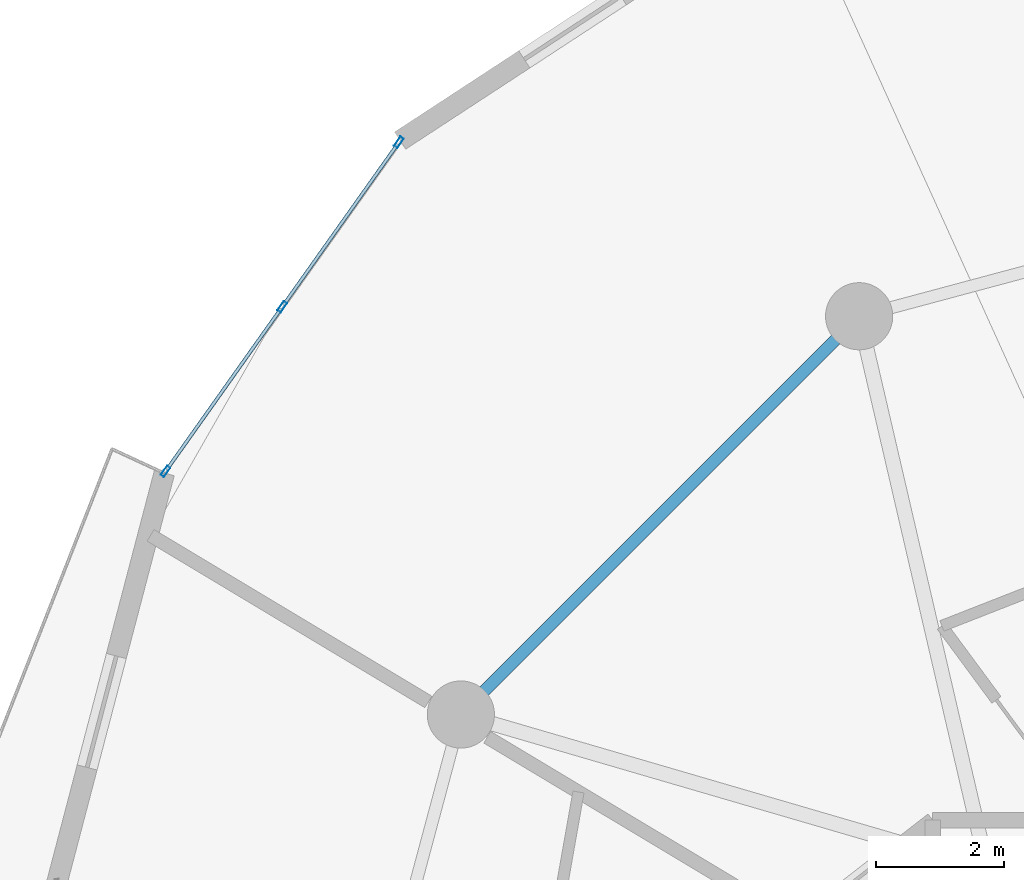
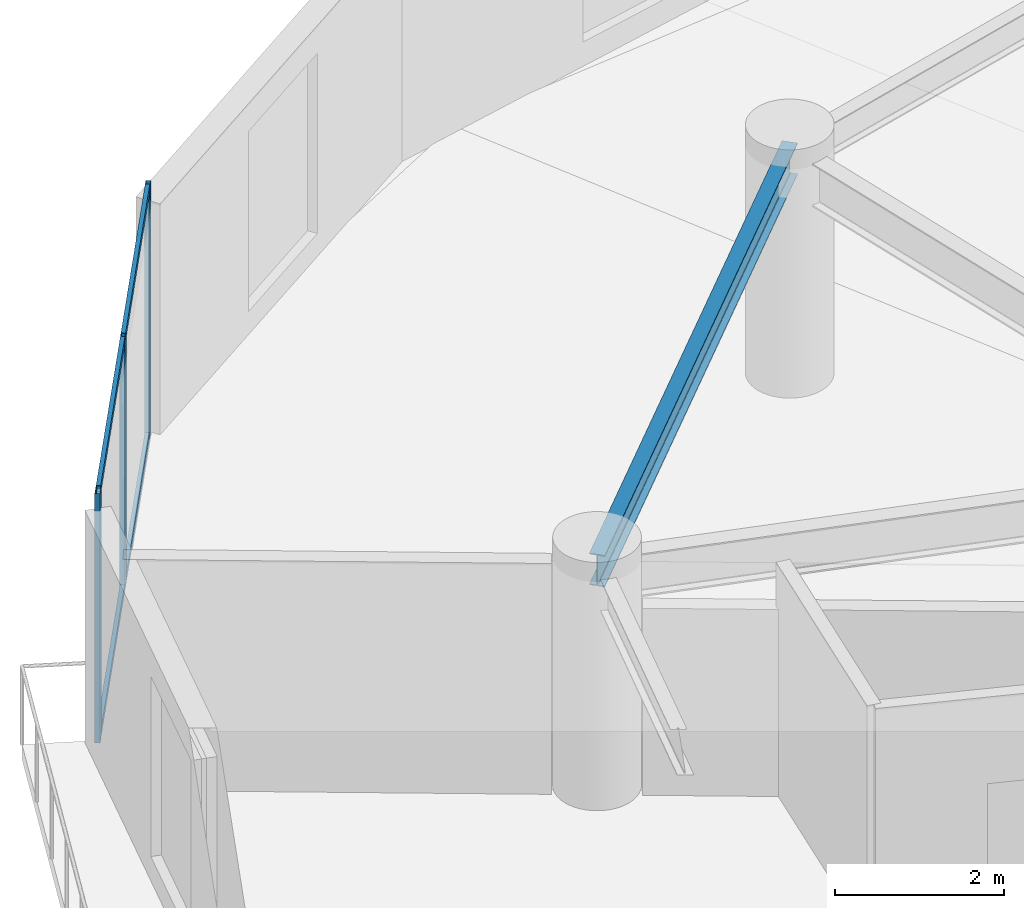
# One storey, part 13 of 22: 7 members, 1 beam, 1 element without a shape of its own.
"""IFC4 building model written with IfcOpenShell, lengths in metres."""

from ifc_helpers import new_model, si_unit, direction, frame, origin, origin_2d, place, context, subcontext, project, spatial, hollow_rectangle, i_section, extrude, source, transform, mapped, material, layer, layer_set, material_profile, profile_set, type_object, element, aggregate, save


model = new_model("IFC4")

# Units and contexts
model_context = context("Model", 3, precision=1e-05, world=origin(), true_north=direction((0.0, 1.0)))
body_context = subcontext(model_context, "Body", "Model", "MODEL_VIEW")
ifc_project = project(units=[si_unit("LENGTHUNIT", "METRE"), si_unit("AREAUNIT", "SQUARE_METRE"), si_unit("VOLUMEUNIT", "CUBIC_METRE"), si_unit("PLANEANGLEUNIT", "RADIAN"), si_unit("MASSUNIT", "GRAM", prefix="KILO")], contexts=[model_context])

# Site, building, storey
site_placement = place(None, origin())
site = spatial("IfcSite", under=ifc_project, at=site_placement, CompositionType="ELEMENT")
building_placement = place(site_placement, origin())
building = spatial("IfcBuilding", under=site, at=building_placement, Name="Solvirekh Grand Hotel", CompositionType="ELEMENT")
storey_placement = place(building_placement, frame((0.0, 0.0, 149.39990234375)))
storey = spatial("IfcBuildingStorey", under=building, at=storey_placement, Name="L38", CompositionType="ELEMENT", Elevation=149.39990234375)

# Beam
ifc_material_1 = material(Name="Steel S355", Category="steel")
ifc_material_profile_1 = material_profile(ifc_material_1, i_section(OverallWidth=0.18994140625, OverallDepth=0.45703125, WebThickness=0.009033203125, FlangeThickness=0.013916015625, FilletRadius=0.012939453125, at=origin_2d()), Name="W460X74")
ifc_profile_set_1 = profile_set([ifc_material_profile_1], Name="Steel S355")
beam_type = type_object("IfcBeamType", Name="Spandrel_Ring_W460", PredefinedType="SPANDREL", material=ifc_profile_set_1)
beam_placement = place(storey_placement, frame((-8.5, 14.721923828125, 3.1220703125), z_axis=(-0.707106781187, -0.707106781187, 0.0), x_axis=(0.707106781187, -0.707106781187, 0.0)))
element("IfcBeam", 1, at=beam_placement, inside=storey, type_object=beam_type, Name="L38 perimeter spandrel beam 5", PredefinedType="SPANDREL", context=body_context, shape_type="SweptSolid", body=[
    extrude(i_section(OverallWidth=0.18994140625, OverallDepth=0.45703125, WebThickness=0.009033203125, FlangeThickness=0.013916015625, FilletRadius=0.012939453125, at=origin_2d()), origin(), (0.0, 0.0, 1.0), 8.799072265625),
])

# Curtain wall, members
ifc_material_2 = material(Name="Anodized Bronze Aluminium 6063-T6", Category="aluminium")
ifc_layer = layer(ifc_material_2, 0.175048828125)
ifc_layer_set = layer_set([ifc_layer], Name="Anodized Bronze Aluminium 6063-T6")
curtain_wall_type = type_object("IfcCurtainWallType", Name="CW_Sys3_MidZoneFlushBronzeCW", PredefinedType="NOTDEFINED", material=ifc_layer_set)
curtain_wall_placement = place(storey_placement, origin())
curtain_wall = element("IfcCurtainWall", 2, at=curtain_wall_placement, inside=storey, type_object=curtain_wall_type, Name="L38 unitised bronze-glass curtain wall CW-L38-C11", PredefinedType="NOTDEFINED")
ifc_material_profile_2 = material_profile(ifc_material_2, hollow_rectangle(XDim=0.06494140625, YDim=0.175048828125, WallThickness=0.0048828125, at=origin_2d()), Name="ALU RHS 175X65X5")
ifc_profile_set_2 = profile_set([ifc_material_profile_2], Name="Anodized Bronze Aluminium 6063-T6")
member_type_1 = type_object("IfcMemberType", Name="CWMullion_Sys3", PredefinedType="MULLION", material=ifc_profile_set_2)
shared_shape_1 = source(origin(), body_context, "Body", "SweptSolid", [
    extrude(hollow_rectangle(XDim=0.06494140625, YDim=0.175048828125, WallThickness=0.0048828125, at=origin_2d()), origin(), (0.0, 0.0, 1.0), 3.60009765625),
])
member_1_placement = place(storey_placement, frame((-15.689697265625, 17.4404296875, 0.0), z_axis=(0.0, 0.0, 1.0), x_axis=(0.815712684679, -0.578457272453, 0.0)))
member_1 = element("IfcMember", 3, at=member_1_placement, type_object=member_type_1, Name="U03 mullion 1", PredefinedType="MULLION", context=body_context, shape_type="MappedRepresentation", body=[
    mapped(shared_shape_1, transform((0.0, 0.0, 0.0), x_axis=(1.0, 0.0, 0.0), y_axis=(0.0, 1.0, 0.0), z_axis=(0.0, 0.0, 1.0), scale=1.0)),
])
member_2_placement = place(storey_placement, frame((-17.512939453125, 14.869384765625, 0.0), z_axis=(0.0, 0.0, 1.0), x_axis=(0.815712684679, -0.578457272453, 0.0)))
member_2 = element("IfcMember", 4, at=member_2_placement, type_object=member_type_1, Name="U03 mullion 2", PredefinedType="MULLION", context=body_context, shape_type="MappedRepresentation", body=[
    mapped(shared_shape_1, transform((0.0, 0.0, 0.0), x_axis=(1.0, 0.0, 0.0), y_axis=(0.0, 1.0, 0.0), z_axis=(0.0, 0.0, 1.0), scale=1.0)),
])
member_3_placement = place(storey_placement, frame((-19.336181640625, 12.298583984375, 0.0), z_axis=(0.0, 0.0, 1.0), x_axis=(0.815712684679, -0.578457272453, 0.0)))
member_3 = element("IfcMember", 5, at=member_3_placement, type_object=member_type_1, Name="U03 mullion 3", PredefinedType="MULLION", context=body_context, shape_type="MappedRepresentation", body=[
    mapped(shared_shape_1, transform((0.0, 0.0, 0.0), x_axis=(1.0, 0.0, 0.0), y_axis=(0.0, 1.0, 0.0), z_axis=(0.0, 0.0, 1.0), scale=1.0)),
])
ifc_material_profile_3 = material_profile(ifc_material_2, hollow_rectangle(XDim=0.054931640625, YDim=0.1201171875, WallThickness=0.00390625, at=origin_2d()), Name="ALU RHS 120X55X4")
ifc_profile_set_3 = profile_set([ifc_material_profile_3], Name="Anodized Bronze Aluminium 6063-T6")
member_type_2 = type_object("IfcMemberType", Name="CWTransom_Sys3", PredefinedType="USERDEFINED", material=ifc_profile_set_3)
shared_shape_2 = source(origin(), body_context, "Body", "SweptSolid", [
    extrude(hollow_rectangle(XDim=0.054931640625, YDim=0.1201171875, WallThickness=0.00390625, at=origin_2d()), origin(), (0.0, 0.0, 1.0), 3.0869140625),
])
member_4_placement = place(storey_placement, frame((-15.70849609375, 17.4140625, 0.027587890625), z_axis=(-0.578451741562, -0.815716606846, 0.0), x_axis=(0.815716606846, -0.578451741562, 0.0)))
member_4 = element("IfcMember", 6, at=member_4_placement, type_object=member_type_2, Name="U03 transom 1.1", ObjectType="TRANSOM", PredefinedType="USERDEFINED", context=body_context, shape_type="MappedRepresentation", body=[
    mapped(shared_shape_2, transform((0.0, 0.0, 0.0), x_axis=(1.0, 0.0, 0.0), y_axis=(0.0, 1.0, 0.0), z_axis=(0.0, 0.0, 1.0), scale=1.0)),
])
member_5_placement = place(storey_placement, frame((-15.70849609375, 17.4140625, 3.572509765625), z_axis=(-0.578451741562, -0.815716606846, 0.0), x_axis=(0.815716606846, -0.578451741562, 0.0)))
member_5 = element("IfcMember", 7, at=member_5_placement, type_object=member_type_2, Name="U03 transom 1.2", ObjectType="TRANSOM", PredefinedType="USERDEFINED", context=body_context, shape_type="MappedRepresentation", body=[
    mapped(shared_shape_2, transform((0.0, 0.0, 0.0), x_axis=(1.0, 0.0, 0.0), y_axis=(0.0, 1.0, 0.0), z_axis=(0.0, 0.0, 1.0), scale=1.0)),
])
member_6_placement = place(storey_placement, frame((-17.53173828125, 14.843017578125, 0.027587890625), z_axis=(-0.578451741562, -0.815716606846, 0.0), x_axis=(0.815716606846, -0.578451741562, 0.0)))
member_6 = element("IfcMember", 8, at=member_6_placement, type_object=member_type_2, Name="U03 transom 2.1", ObjectType="TRANSOM", PredefinedType="USERDEFINED", context=body_context, shape_type="MappedRepresentation", body=[
    mapped(shared_shape_2, transform((0.0, 0.0, 0.0), x_axis=(1.0, 0.0, 0.0), y_axis=(0.0, 1.0, 0.0), z_axis=(0.0, 0.0, 1.0), scale=1.0)),
])
member_7_placement = place(storey_placement, frame((-17.53173828125, 14.843017578125, 3.572509765625), z_axis=(-0.578451741562, -0.815716606846, 0.0), x_axis=(0.815716606846, -0.578451741562, 0.0)))
member_7 = element("IfcMember", 9, at=member_7_placement, type_object=member_type_2, Name="U03 transom 2.2", ObjectType="TRANSOM", PredefinedType="USERDEFINED", context=body_context, shape_type="MappedRepresentation", body=[
    mapped(shared_shape_2, transform((0.0, 0.0, 0.0), x_axis=(1.0, 0.0, 0.0), y_axis=(0.0, 1.0, 0.0), z_axis=(0.0, 0.0, 1.0), scale=1.0)),
])
aggregate(curtain_wall, [member_1, member_2, member_3, member_4, member_5, member_6, member_7])

save(model, "model.ifc")
